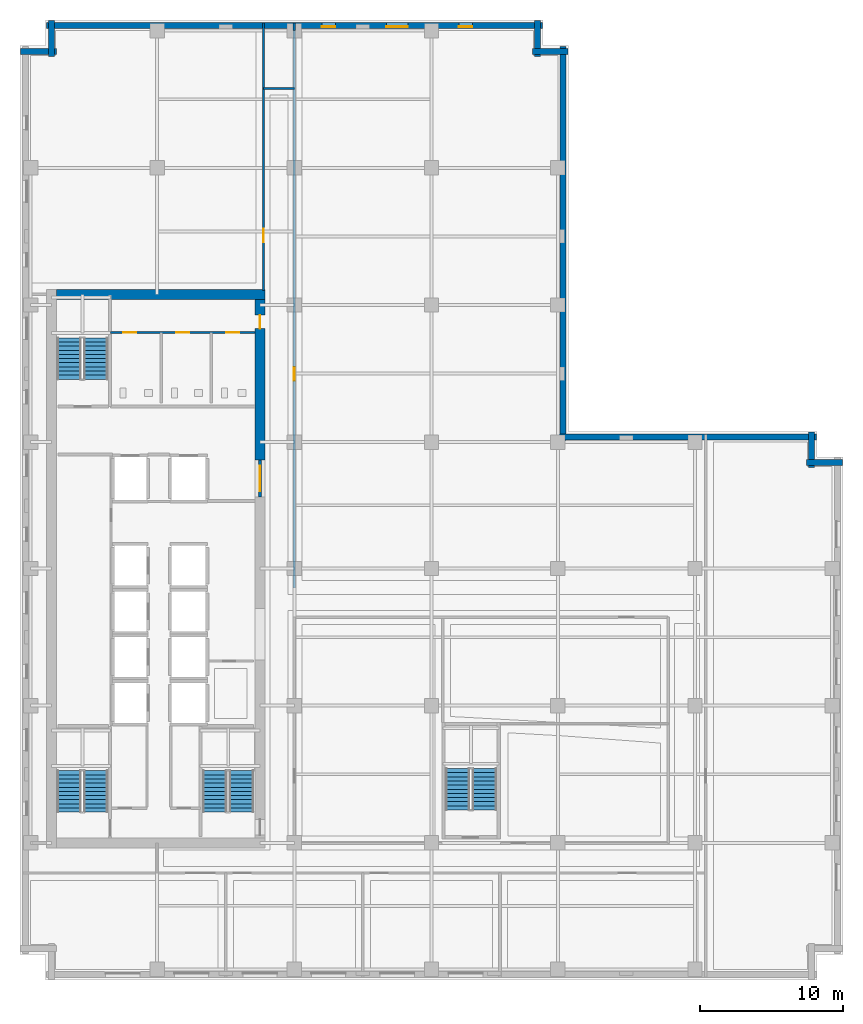
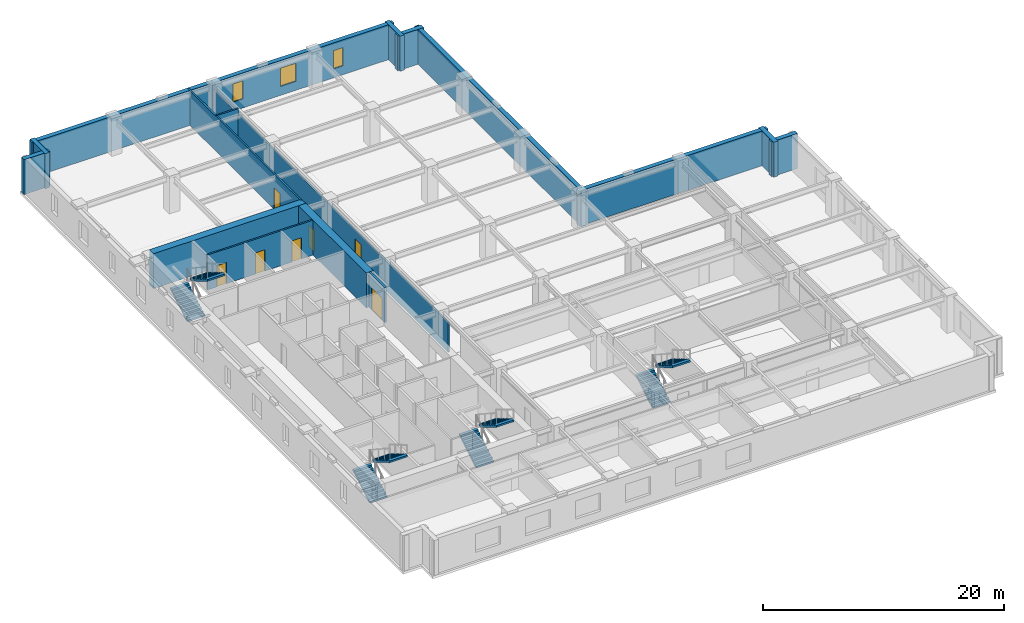
# One storey, part 6 of 11: 17 walls, 8 stair flights, 7 doors, 3 windows, 10 openings, 4 elements without a shape of their own.
"""IFC4 building model written with IfcOpenShell, lengths in metres."""

from ifc_helpers import new_model, si_unit, direction, frame, frame_2d, origin, place, context, subcontext, project, spatial, polyline, rectangle, outline, extrude, material, layer, layer_set, type_object, element, fill, aggregate, save


model = new_model("IFC4")

# Units and contexts
model_context = context("Model", 3, precision=1e-05, world=origin(), true_north=direction((0.0, 1.0)))
body_context = subcontext(model_context, "Body", "Model", "MODEL_VIEW")
ifc_project = project(units=[si_unit("LENGTHUNIT", "METRE"), si_unit("AREAUNIT", "SQUARE_METRE"), si_unit("VOLUMEUNIT", "CUBIC_METRE"), si_unit("PLANEANGLEUNIT", "RADIAN"), si_unit("MASSUNIT", "GRAM", prefix="KILO")], contexts=[model_context])

# Site, building, storey
site_placement = place(None, origin())
site = spatial("IfcSite", under=ifc_project, at=site_placement, CompositionType="ELEMENT")
building_placement = place(site_placement, origin())
building = spatial("IfcBuilding", under=site, at=building_placement, Name="Norrvale University Quadrangle", CompositionType="ELEMENT")
storey_placement = place(building_placement, frame((0.0, 0.0, 124.199951171875)))
storey = spatial("IfcBuildingStorey", under=building, at=storey_placement, Name="L31", CompositionType="ELEMENT", Elevation=124.199951171875)

# Walls
ifc_material_1 = material(Name="Buff Norman Clay Brick Masonry", Category="masonry")
ifc_layer_1 = layer(ifc_material_1, 0.419921875, Name="Buff Norman Clay Brick Masonry")
ifc_layer_set_1 = layer_set([ifc_layer_1], Name="Buff Norman Clay Brick Masonry")
wall_type_1 = type_object("IfcWallType", Name="Wall Buff Brick 420", PredefinedType="SOLIDWALL", material=ifc_layer_set_1)
for number, where, z_axis, x_axis, name in (
    (1, (57.56005859375, 36.2099609375, 0.0), (0.0, 0.0, 1.0), (-1.0, 0.0, 0.0), "Exterior Brick Facade Wall L31-05.1"),
    (2, (55.409912109375, 35.860107421875, 0.0), (0.0, 0.0, 1.0), (0.0, 1.0, 0.0), "Exterior Brick Facade Wall L31-06.1"),
):
    element("IfcWall", number, at=place(storey_placement, frame(where, z_axis=z_axis, x_axis=x_axis)), inside=storey, type_object=wall_type_1, Name=name, PredefinedType="SOLIDWALL", context=body_context, shape_type="SweptSolid", body=[
        extrude(rectangle(XDim=2.5, YDim=0.419921875, at=frame_2d((1.25, 0.0))), origin(), (0.0, 0.0, 1.0), 3.5400390625),
    ])
wall_1_placement = place(storey_placement, frame((55.760009765625, 38.010009765625, 0.0), z_axis=(0.0, 0.0, 1.0), x_axis=(-1.0, 0.0, 0.0)))
element("IfcWall", 3, at=wall_1_placement, inside=storey, type_object=wall_type_1, Name="Exterior Brick Facade Wall L31-07.1", PredefinedType="SOLIDWALL", context=body_context, shape_type="SweptSolid", body=[
    extrude(rectangle(XDim=18.10009765625, YDim=0.419921875, at=frame_2d((9.050048828125, 0.0))), origin(), (0.0, 0.0, 1.0), 3.5400390625),
])
wall_2_placement = place(storey_placement, frame((38.010009765625, 37.659912109375, 0.0), z_axis=(0.0, 0.0, 1.0), x_axis=(0.0, 1.0, 0.0)))
element("IfcWall", 4, at=wall_2_placement, inside=storey, type_object=wall_type_1, Name="Exterior Brick Facade Wall L31-08.1", PredefinedType="SOLIDWALL", context=body_context, shape_type="SweptSolid", body=[
    extrude(rectangle(XDim=27.7001953125, YDim=0.419921875, at=frame_2d((13.85009765625, 0.0))), origin(), (0.0, 0.0, 1.0), 3.5400390625),
])
for number, where, z_axis, x_axis, name in (
    (5, (38.360107421875, 65.010009765625, 0.0), (0.0, 0.0, 1.0), (-1.0, 0.0, 0.0), "Exterior Brick Facade Wall L31-09.1"),
    (6, (36.2099609375, 64.659912109375, 0.0), (0.0, 0.0, 1.0), (0.0, 1.0, 0.0), "Exterior Brick Facade Wall L31-10.1"),
):
    element("IfcWall", number, at=place(storey_placement, frame(where, z_axis=z_axis, x_axis=x_axis)), inside=storey, type_object=wall_type_1, Name=name, PredefinedType="SOLIDWALL", context=body_context, shape_type="SweptSolid", body=[
        extrude(rectangle(XDim=2.5, YDim=0.419921875, at=frame_2d((1.25, 0.0))), origin(), (0.0, 0.0, 1.0), 3.5400390625),
    ])

# Wall, openings, windows
wall_3_placement = place(storey_placement, frame((36.56005859375, 66.81005859375, 0.0), z_axis=(0.0, 0.0, 1.0), x_axis=(-1.0, 0.0, 0.0)))
wall_3 = element("IfcWall", 7, at=wall_3_placement, inside=storey, type_object=wall_type_1, Name="Exterior Brick Facade Wall L31-11.1", PredefinedType="SOLIDWALL", context=body_context, shape_type="SweptSolid", body=[
    extrude(rectangle(XDim=34.719970703125, YDim=0.419921875, at=frame_2d((17.35986328125, 0.0))), origin(), (0.0, 0.0, 1.0), 3.5400390625),
])
opening_1_placement = place(wall_3_placement, frame((4.885009765625, 0.0, 0.89990234375)))
opening_1 = element("IfcOpeningElement", 8, at=opening_1_placement, cuts=wall_3, Name="Opening W04", PredefinedType="OPENING", context=body_context, shape_type="SweptSolid", body=[
    extrude(rectangle(XDim=0.949951171875, YDim=1.85009765625, at=frame_2d((0.47509765625, 0.925048828125))), frame((0.0, 0.221923828125, 0.0), z_axis=(0.0, -1.0, 0.0), x_axis=(1.0, 0.0, 0.0)), (0.0, 0.0, 1.0), 0.44384765625),
])
opening_2_placement = place(wall_3_placement, frame((9.409912109375, 0.0, 0.89990234375)))
opening_2 = element("IfcOpeningElement", 9, at=opening_2_placement, cuts=wall_3, Name="Opening W03", PredefinedType="OPENING", context=body_context, shape_type="SweptSolid", body=[
    extrude(rectangle(XDim=1.5, YDim=1.85009765625, at=frame_2d((0.75, 0.925048828125))), frame((0.0, 0.221923828125, 0.0), z_axis=(0.0, -1.0, 0.0), x_axis=(1.0, 0.0, 0.0)), (0.0, 0.0, 1.0), 0.44384765625),
])
opening_3_placement = place(wall_3_placement, frame((14.485107421875, 0.0, 0.89990234375)))
opening_3 = element("IfcOpeningElement", 10, at=opening_3_placement, cuts=wall_3, Name="Opening W04", PredefinedType="OPENING", context=body_context, shape_type="SweptSolid", body=[
    extrude(rectangle(XDim=0.949951171875, YDim=1.85009765625, at=frame_2d((0.47509765625, 0.925048828125))), frame((0.0, 0.221923828125, 0.0), z_axis=(0.0, -1.0, 0.0), x_axis=(1.0, 0.0, 0.0)), (0.0, 0.0, 1.0), 0.44384765625),
])
ifc_material_2 = material(Name="Triple Low-E Argon Glazing", Category="glass")
window_type_1 = type_object("IfcWindowType", Name="Window Narrow Pier 950x2300", PartitioningType="SINGLE_PANEL", PredefinedType="WINDOW", material=ifc_material_2)
window_1_placement = place(opening_1_placement, origin())
window_1 = element("IfcWindow", 11, at=window_1_placement, inside=storey, type_object=window_type_1, Name="Window Narrow Pier 950x2300 WIN-L31-E11-1-01", OverallHeight=1.85009765625, OverallWidth=0.949951171875, PartitioningType="SINGLE_PANEL", PredefinedType="WINDOW", context=body_context, shape_type="SweptSolid", body=[
    extrude(rectangle(XDim=0.949951171875, YDim=1.85009765625, at=frame_2d((0.47509765625, 0.925048828125))), frame((0.0, 0.110107421875, 0.0), z_axis=(0.0, -1.0, 0.0), x_axis=(1.0, 0.0, 0.0)), (0.0, 0.0, 1.0), 0.06005859375),
])
fill(opening_1, window_1)
window_2_placement = place(opening_3_placement, origin())
window_2 = element("IfcWindow", 12, at=window_2_placement, inside=storey, type_object=window_type_1, Name="Window Narrow Pier 950x2300 WIN-L31-E11-1-03", OverallHeight=1.85009765625, OverallWidth=0.949951171875, PartitioningType="SINGLE_PANEL", PredefinedType="WINDOW", context=body_context, shape_type="SweptSolid", body=[
    extrude(rectangle(XDim=0.949951171875, YDim=1.85009765625, at=frame_2d((0.47509765625, 0.925048828125))), frame((0.0, 0.110107421875, 0.0), z_axis=(0.0, -1.0, 0.0), x_axis=(1.0, 0.0, 0.0)), (0.0, 0.0, 1.0), 0.06005859375),
])
fill(opening_3, window_2)
window_type_2 = type_object("IfcWindowType", Name="Window Studio 1500x2300", PartitioningType="DOUBLE_PANEL_VERTICAL", PredefinedType="WINDOW", material=ifc_material_2)
window_3_placement = place(opening_2_placement, origin())
window_3 = element("IfcWindow", 13, at=window_3_placement, inside=storey, type_object=window_type_2, Name="Window Studio 1500x2300 WIN-L31-E11-1-02", OverallHeight=1.85009765625, OverallWidth=1.5, PartitioningType="DOUBLE_PANEL_VERTICAL", PredefinedType="WINDOW", context=body_context, shape_type="SweptSolid", body=[
    extrude(rectangle(XDim=1.5, YDim=1.85009765625, at=frame_2d((0.75, 0.925048828125))), frame((0.0, 0.110107421875, 0.0), z_axis=(0.0, -1.0, 0.0), x_axis=(1.0, 0.0, 0.0)), (0.0, 0.0, 1.0), 0.06005859375),
])
fill(opening_2, window_3)

# Walls
for number, where, z_axis, x_axis, name in (
    (14, (2.18994140625, 67.159912109375, 0.0), (0.0, 0.0, 1.0), (0.0, -1.0, 0.0), "Exterior Brick Facade Wall L31-12.1"),
    (15, (2.5400390625, 65.010009765625, 0.0), (0.0, 0.0, 1.0), (-1.0, 0.0, 0.0), "Exterior Brick Facade Wall L31-13.1"),
):
    element("IfcWall", number, at=place(storey_placement, frame(where, z_axis=z_axis, x_axis=x_axis)), inside=storey, type_object=wall_type_1, Name=name, PredefinedType="SOLIDWALL", context=body_context, shape_type="SweptSolid", body=[
        extrude(rectangle(XDim=2.5, YDim=0.419921875, at=frame_2d((1.25, 0.0))), origin(), (0.0, 0.0, 1.0), 3.5400390625),
    ])
ifc_material_3 = material(Name="Concrete C60/75", Category="concrete")
ifc_layer_2 = layer(ifc_material_3, 0.699951171875, Name="Concrete C60/75")
ifc_layer_set_2 = layer_set([ifc_layer_2], Name="Concrete C60/75")
wall_type_2 = type_object("IfcWallType", Name="Wall Core 700", PredefinedType="SHEAR", material=ifc_layer_set_2)
wall_4_placement = place(storey_placement, frame((2.550048828125, 48.0, 0.0), z_axis=(0.0, 0.0, 1.0), x_axis=(1.0, 0.0, 0.0)))
element("IfcWall", 16, at=wall_4_placement, inside=storey, type_object=wall_type_2, Name="Tower Core Shear Wall L31-N", PredefinedType="SHEAR", context=body_context, shape_type="SweptSolid", body=[
    extrude(rectangle(XDim=14.599853515625, YDim=0.699951171875, at=frame_2d((7.2998046875, 0.0))), origin(), (0.0, 0.0, 1.0), 3.5400390625),
])

# Wall, opening, door
wall_5_placement = place(storey_placement, frame((16.800048828125, 36.39990234375, 0.0), z_axis=(0.0, 0.0, 1.0), x_axis=(0.0, 1.0, 0.0)))
wall_5 = element("IfcWall", 17, at=wall_5_placement, inside=storey, type_object=wall_type_2, Name="Tower Core Shear Wall L31-E3", PredefinedType="SHEAR", context=body_context, shape_type="SweptSolid", body=[
    extrude(rectangle(XDim=11.25, YDim=0.699951171875, at=frame_2d((5.625, 0.0))), origin(), (0.0, 0.0, 1.0), 3.5400390625),
])
opening_4_placement = place(wall_5_placement, frame((9.199951171875, 0.0, 0.0)))
opening_4 = element("IfcOpeningElement", 18, at=opening_4_placement, cuts=wall_5, Name="Opening D07", PredefinedType="OPENING", context=body_context, shape_type="SweptSolid", body=[
    extrude(rectangle(XDim=0.949951171875, YDim=2.14990234375, at=frame_2d((0.47509765625, 1.074951171875))), frame((0.0, 0.362060546875, 0.0), z_axis=(0.0, -1.0, 0.0), x_axis=(1.0, 0.0, 0.0)), (0.0, 0.0, 1.0), 0.723876953125),
])
ifc_material_4 = material(Name="Solid-Core Maple Door", Category="wood")
door_type_1 = type_object("IfcDoorType", Name="Door Office 950x2150", OperationType="NOTDEFINED", PredefinedType="DOOR", material=ifc_material_4)
door_1_placement = place(opening_4_placement, origin())
door_1 = element("IfcDoor", 19, at=door_1_placement, inside=storey, type_object=door_type_1, Name="Door Office 950x2150 DR-L31-NECORR", OperationType="SINGLE_SWING_RIGHT", OverallHeight=2.14990234375, OverallWidth=0.949951171875, PredefinedType="DOOR", context=body_context, shape_type="SweptSolid", body=[
    extrude(rectangle(XDim=0.949951171875, YDim=2.14990234375, at=frame_2d((0.47509765625, 1.074951171875))), frame((0.0, 0.02490234375, 0.0), z_axis=(0.0, -1.0, 0.0), x_axis=(1.0, 0.0, 0.0)), (0.0, 0.0, 1.0), 0.050048828125),
])
fill(opening_4, door_1)

# Wall
ifc_material_5 = material(Name="Fire-Rated Gypsum Stud Partition")
ifc_layer_3 = layer(ifc_material_5, 0.14990234375, Name="Fire-Rated Gypsum Stud Partition")
ifc_layer_set_3 = layer_set([ifc_layer_3], Name="Fire-Rated Gypsum Stud Partition")
wall_type_3 = type_object("IfcWallType", Name="Wall Gypsum Corridor 150", PredefinedType="PARTITIONING", material=ifc_layer_set_3)
wall_6_placement = place(storey_placement, frame((17.050048828125, 62.39990234375, 0.0), z_axis=(0.0, 0.0, 1.0), x_axis=(1.0, 0.0, 0.0)))
element("IfcWall", 20, at=wall_6_placement, inside=storey, type_object=wall_type_3, Name="Interior Partition WL-L31-CN-END", PredefinedType="PARTITIONING", context=body_context, shape_type="SweptSolid", body=[
    extrude(rectangle(XDim=2.14990234375, YDim=0.14990234375, at=frame_2d((1.074951171875, 0.0))), origin(), (0.0, 0.0, 1.0), 3.5400390625),
])

# Wall, opening, door
wall_7_placement = place(storey_placement, frame((19.199951171875, 27.449951171875, 0.0), z_axis=(0.0, 0.0, 1.0), x_axis=(0.0, 1.0, 0.0)))
wall_7 = element("IfcWall", 21, at=wall_7_placement, inside=storey, type_object=wall_type_3, Name="Interior Partition WL-L31-NECW", PredefinedType="PARTITIONING", context=body_context, shape_type="SweptSolid", body=[
    extrude(rectangle(XDim=39.0, YDim=0.14990234375, at=frame_2d((19.5, 0.0))), origin(), (0.0, 0.0, 1.0), 2.99609375),
])
opening_5_placement = place(wall_7_placement, frame((14.5, 0.0, 0.0)))
opening_5 = element("IfcOpeningElement", 22, at=opening_5_placement, cuts=wall_7, Name="Opening D07", PredefinedType="OPENING", context=body_context, shape_type="SweptSolid", body=[
    extrude(rectangle(XDim=0.949951171875, YDim=2.14990234375, at=frame_2d((0.47509765625, 1.074951171875))), frame((0.0, 0.0869140625, 0.0), z_axis=(0.0, -1.0, 0.0), x_axis=(1.0, 0.0, 0.0)), (0.0, 0.0, 1.0), 0.173828125),
])
door_2_placement = place(opening_5_placement, origin())
door_2 = element("IfcDoor", 23, at=door_2_placement, inside=storey, type_object=door_type_1, Name="Door Office 950x2150 DR-L31-NE01", OperationType="SINGLE_SWING_RIGHT", OverallHeight=2.14990234375, OverallWidth=0.949951171875, PredefinedType="DOOR", context=body_context, shape_type="SweptSolid", body=[
    extrude(rectangle(XDim=0.949951171875, YDim=2.14990234375, at=frame_2d((0.47509765625, 1.074951171875))), frame((0.0, 0.02490234375, 0.0), z_axis=(0.0, -1.0, 0.0), x_axis=(1.0, 0.0, 0.0)), (0.0, 0.0, 1.0), 0.050048828125),
])
fill(opening_5, door_2)

# Wall
wall_8_placement = place(storey_placement, frame((19.199951171875, 66.449951171875, 0.0), z_axis=(0.0, 0.0, 1.0), x_axis=(0.0, 1.0, 0.0)))
element("IfcWall", 24, at=wall_8_placement, inside=storey, type_object=wall_type_3, Name="Interior Partition WL-L31-NECW-B2", PredefinedType="PARTITIONING", context=body_context, shape_type="SweptSolid", body=[
    extrude(rectangle(XDim=0.530029296875, YDim=0.14990234375, at=frame_2d((0.26513671875, 0.0))), origin(), (0.0, 0.0, 1.0), 3.5400390625),
])

# Wall, opening, door
wall_9_placement = place(storey_placement, frame((17.050048828125, 48.25, 0.0), z_axis=(0.0, 0.0, 1.0), x_axis=(0.0, 1.0, 0.0)))
wall_9 = element("IfcWall", 25, at=wall_9_placement, inside=storey, type_object=wall_type_3, Name="Interior Partition WL-L31-NWCW", PredefinedType="PARTITIONING", context=body_context, shape_type="SweptSolid", body=[
    extrude(rectangle(XDim=18.72998046875, YDim=0.14990234375, at=frame_2d((9.364990234375, 0.0))), origin(), (0.0, 0.0, 1.0), 3.5400390625),
])
opening_6_placement = place(wall_9_placement, frame((3.39990234375, 0.0, 0.0)))
opening_6 = element("IfcOpeningElement", 26, at=opening_6_placement, cuts=wall_9, Name="Opening D07", PredefinedType="OPENING", context=body_context, shape_type="SweptSolid", body=[
    extrude(rectangle(XDim=0.949951171875, YDim=2.14990234375, at=frame_2d((0.47509765625, 1.074951171875))), frame((0.0, 0.0869140625, 0.0), z_axis=(0.0, -1.0, 0.0), x_axis=(1.0, 0.0, 0.0)), (0.0, 0.0, 1.0), 0.173828125),
])
door_3_placement = place(opening_6_placement, origin())
door_3 = element("IfcDoor", 27, at=door_3_placement, inside=storey, type_object=door_type_1, Name="Door Office 950x2150 DR-L31-NW01", OperationType="SINGLE_SWING_RIGHT", OverallHeight=2.14990234375, OverallWidth=0.949951171875, PredefinedType="DOOR", context=body_context, shape_type="SweptSolid", body=[
    extrude(rectangle(XDim=0.949951171875, YDim=2.14990234375, at=frame_2d((0.47509765625, 1.074951171875))), frame((0.0, 0.02490234375, 0.0), z_axis=(0.0, -1.0, 0.0), x_axis=(1.0, 0.0, 0.0)), (0.0, 0.0, 1.0), 0.050048828125),
])
fill(opening_6, door_3)

# Wall, openings, doors
ifc_material_6 = material(Name="Sanitary Chase Gypsum Partition")
ifc_layer_4 = layer(ifc_material_6, 0.1650390625, Name="Sanitary Chase Gypsum Partition")
ifc_layer_set_4 = layer_set([ifc_layer_4], Name="Sanitary Chase Gypsum Partition")
wall_type_4 = type_object("IfcWallType", Name="Wall Gypsum Sanitary 165", PredefinedType="PLUMBINGWALL", material=ifc_layer_set_4)
wall_10_placement = place(storey_placement, frame((6.320068359375, 45.320068359375, 0.0), z_axis=(0.0, 0.0, 1.0), x_axis=(1.0, 0.0, 0.0)))
wall_10 = element("IfcWall", 28, at=wall_10_placement, inside=storey, type_object=wall_type_4, Name="Interior Partition WL-L31-WCN", PredefinedType="PLUMBINGWALL", context=body_context, shape_type="SweptSolid", body=[
    extrude(rectangle(XDim=10.1298828125, YDim=0.1650390625, at=frame_2d((5.06494140625, 0.0))), origin(), (0.0, 0.0, 1.0), 3.5400390625),
])
opening_7_placement = place(wall_10_placement, frame((0.89990234375, 0.0, 0.0)))
opening_7 = element("IfcOpeningElement", 29, at=opening_7_placement, cuts=wall_10, Name="Opening D08", PredefinedType="OPENING", context=body_context, shape_type="SweptSolid", body=[
    extrude(rectangle(XDim=0.919921875, YDim=2.14990234375, at=frame_2d((0.4599609375, 1.074951171875))), frame((0.0, 0.094482421875, 0.0), z_axis=(0.0, -1.0, 0.0), x_axis=(1.0, 0.0, 0.0)), (0.0, 0.0, 1.0), 0.18896484375),
])
opening_8_placement = place(wall_10_placement, frame((4.60009765625, 0.0, 0.0)))
opening_8 = element("IfcOpeningElement", 30, at=opening_8_placement, cuts=wall_10, Name="Opening D08", PredefinedType="OPENING", context=body_context, shape_type="SweptSolid", body=[
    extrude(rectangle(XDim=0.919921875, YDim=2.14990234375, at=frame_2d((0.4599609375, 1.074951171875))), frame((0.0, 0.094482421875, 0.0), z_axis=(0.0, -1.0, 0.0), x_axis=(1.0, 0.0, 0.0)), (0.0, 0.0, 1.0), 0.18896484375),
])
opening_9_placement = place(wall_10_placement, frame((8.10009765625, 0.0, 0.0)))
opening_9 = element("IfcOpeningElement", 31, at=opening_9_placement, cuts=wall_10, Name="Opening D08", PredefinedType="OPENING", context=body_context, shape_type="SweptSolid", body=[
    extrude(rectangle(XDim=0.919921875, YDim=2.14990234375, at=frame_2d((0.4599609375, 1.074951171875))), frame((0.0, 0.094482421875, 0.0), z_axis=(0.0, -1.0, 0.0), x_axis=(1.0, 0.0, 0.0)), (0.0, 0.0, 1.0), 0.18896484375),
])
ifc_material_7 = material(Name="Laminate Washroom Door", Category="wood")
door_type_2 = type_object("IfcDoorType", Name="Door Washroom 920x2150", OperationType="NOTDEFINED", PredefinedType="DOOR", material=ifc_material_7)
door_4_placement = place(opening_7_placement, origin())
door_4 = element("IfcDoor", 32, at=door_4_placement, inside=storey, type_object=door_type_2, Name="Door Washroom 920x2150 DR-L31-WC1", OperationType="SINGLE_SWING_LEFT", OverallHeight=2.14990234375, OverallWidth=0.919921875, PredefinedType="DOOR", context=body_context, shape_type="SweptSolid", body=[
    extrude(rectangle(XDim=0.919921875, YDim=2.14990234375, at=frame_2d((0.4599609375, 1.074951171875))), frame((0.0, 0.02490234375, 0.0), z_axis=(0.0, -1.0, 0.0), x_axis=(1.0, 0.0, 0.0)), (0.0, 0.0, 1.0), 0.050048828125),
])
fill(opening_7, door_4)
door_5_placement = place(opening_8_placement, origin())
door_5 = element("IfcDoor", 33, at=door_5_placement, inside=storey, type_object=door_type_2, Name="Door Washroom 920x2150 DR-L31-WC2", OperationType="SINGLE_SWING_RIGHT", OverallHeight=2.14990234375, OverallWidth=0.919921875, PredefinedType="DOOR", context=body_context, shape_type="SweptSolid", body=[
    extrude(rectangle(XDim=0.919921875, YDim=2.14990234375, at=frame_2d((0.4599609375, 1.074951171875))), frame((0.0, 0.02490234375, 0.0), z_axis=(0.0, -1.0, 0.0), x_axis=(1.0, 0.0, 0.0)), (0.0, 0.0, 1.0), 0.050048828125),
])
fill(opening_8, door_5)
door_6_placement = place(opening_9_placement, origin())
door_6 = element("IfcDoor", 34, at=door_6_placement, inside=storey, type_object=door_type_2, Name="Door Washroom 920x2150 DR-L31-WC3", OperationType="SINGLE_SWING_LEFT", OverallHeight=2.14990234375, OverallWidth=0.919921875, PredefinedType="DOOR", context=body_context, shape_type="SweptSolid", body=[
    extrude(rectangle(XDim=0.919921875, YDim=2.14990234375, at=frame_2d((0.4599609375, 1.074951171875))), frame((0.0, 0.02490234375, 0.0), z_axis=(0.0, -1.0, 0.0), x_axis=(1.0, 0.0, 0.0)), (0.0, 0.0, 1.0), 0.050048828125),
])
fill(opening_9, door_6)

# Wall, opening, door
ifc_material_8 = material(Name="Concrete Blockwork 20 MPa Rated Wall", Category="masonry")
ifc_layer_5 = layer(ifc_material_8, 0.199951171875, Name="Concrete Blockwork 20 MPa Rated Wall")
ifc_layer_set_5 = layer_set([ifc_layer_5], Name="Concrete Blockwork 20 MPa Rated Wall")
wall_type_5 = type_object("IfcWallType", Name="Wall Lobby 200", PredefinedType="SOLIDWALL", material=ifc_layer_set_5)
wall_11_placement = place(storey_placement, frame((16.800048828125, 33.800048828125, 0.0), z_axis=(0.0, 0.0, 1.0), x_axis=(0.0, 1.0, 0.0)))
wall_11 = element("IfcWall", 35, at=wall_11_placement, inside=storey, type_object=wall_type_5, Name="Interior Partition WL-L31-FFP", PredefinedType="SOLIDWALL", context=body_context, shape_type="SweptSolid", body=[
    extrude(rectangle(XDim=2.599853515625, YDim=0.199951171875, at=frame_2d((1.2998046875, 0.0))), origin(), (0.0, 0.0, 1.0), 3.5400390625),
])
opening_10_placement = place(wall_11_placement, frame((0.39990234375, 0.0, 0.0)))
opening_10 = element("IfcOpeningElement", 36, at=opening_10_placement, cuts=wall_11, Name="Opening D03", PredefinedType="OPENING", context=body_context, shape_type="SweptSolid", body=[
    extrude(rectangle(XDim=1.800048828125, YDim=2.199951171875, at=frame_2d((0.89990234375, 1.10009765625))), frame((0.0, 0.112060546875, 0.0), z_axis=(0.0, -1.0, 0.0), x_axis=(1.0, 0.0, 0.0)), (0.0, 0.0, 1.0), 0.223876953125),
])
ifc_material_9 = material(Name="Hollow Steel 350W Fire Door", Category="steel")
door_type_3 = type_object("IfcDoorType", Name="Door Fire Lobby 1800x2200", OperationType="DOUBLE_DOOR_SINGLE_SWING", PredefinedType="DOOR", material=ifc_material_9)
door_7_placement = place(opening_10_placement, origin())
door_7 = element("IfcDoor", 37, at=door_7_placement, inside=storey, type_object=door_type_3, Name="Door Fire Lobby 1800x2200 DR-L31-FFP", OperationType="DOUBLE_DOOR_SINGLE_SWING", OverallHeight=2.199951171875, OverallWidth=1.800048828125, PredefinedType="DOOR", context=body_context, shape_type="SweptSolid", body=[
    extrude(rectangle(XDim=1.800048828125, YDim=2.199951171875, at=frame_2d((0.89990234375, 1.10009765625))), frame((0.0, 0.02490234375, 0.0), z_axis=(0.0, -1.0, 0.0), x_axis=(1.0, 0.0, 0.0)), (0.0, 0.0, 1.0), 0.050048828125),
])
fill(opening_10, door_7)

# Stair, stair flights
ifc_material_10 = material(Name="Concrete C40/50", Category="concrete")
stair_type = type_object("IfcStairType", Name="Stair Tower Typ 3800", PredefinedType="TWO_STRAIGHT_RUN_STAIR", material=ifc_material_10)
stair_1_placement = place(storey_placement, origin())
stair_1 = element("IfcStair", 38, at=stair_1_placement, inside=storey, type_object=stair_type, Name="Exit Stair ST-01 L31", PredefinedType="TWO_STRAIGHT_RUN_STAIR")
stair_flight_type = type_object("IfcStairFlightType", Name="Flight Typ 1500", PredefinedType="STRAIGHT", material=ifc_material_10)
stair_flight_1_placement = place(storey_placement, frame((3.429931640625, 11.75, 0.0), z_axis=(0.0, 0.0, 1.0), x_axis=(0.0, 1.0, 0.0)))
stair_flight_1 = element("IfcStairFlight", 39, at=stair_flight_1_placement, type_object=stair_flight_type, Name="Exit Stair ST-01 L31 Lower Flight", NumberOfRisers=11, NumberOfTreads=10, PredefinedType="STRAIGHT", RiserHeight=0.172727, TreadLength=0.29, context=body_context, shape_type="SweptSolid", body=[
    extrude(outline(polyline([(0.0, 0.0), (0.0, 0.172607421875), (0.2900390625, 0.172607421875), (0.2900390625, 0.345458984375), (0.580078125, 0.345458984375), (0.580078125, 0.51806640625), (0.8701171875, 0.51806640625), (0.8701171875, 0.69091796875), (1.159912109375, 0.69091796875), (1.159912109375, 0.863525390625), (1.449951171875, 0.863525390625), (1.449951171875, 1.036376953125), (1.739990234375, 1.036376953125), (1.739990234375, 1.208984375), (2.030029296875, 1.208984375), (2.030029296875, 1.3818359375), (2.320068359375, 1.3818359375), (2.320068359375, 1.554443359375), (2.610107421875, 1.554443359375), (2.610107421875, 1.727294921875), (2.89990234375, 1.727294921875), (2.89990234375, 1.89990234375), (2.89990234375, 1.552734375), (0.29296875, 0.0), (0.0, 0.0)])), frame((0.0, 0.83984375, 0.0), z_axis=(0.0, -1.0, 0.0), x_axis=(1.0, 0.0, 0.0)), (0.0, 0.0, 1.0), 1.679931640625),
])
stair_flight_2_placement = place(storey_placement, frame((5.320068359375, 14.64990234375, 1.900146484375), z_axis=(0.0, 0.0, 1.0), x_axis=(0.0, -1.0, 0.0)))
stair_flight_2 = element("IfcStairFlight", 40, at=stair_flight_2_placement, type_object=stair_flight_type, Name="Exit Stair ST-01 L31 Upper Flight", NumberOfRisers=11, NumberOfTreads=10, PredefinedType="STRAIGHT", RiserHeight=0.172727, TreadLength=0.29, context=body_context, shape_type="SweptSolid", body=[
    extrude(outline(polyline([(0.0, 0.0), (0.0, 0.172607421875), (0.2900390625, 0.172607421875), (0.2900390625, 0.345458984375), (0.580078125, 0.345458984375), (0.580078125, 0.51806640625), (0.8701171875, 0.51806640625), (0.8701171875, 0.69091796875), (1.159912109375, 0.69091796875), (1.159912109375, 0.863525390625), (1.449951171875, 0.863525390625), (1.449951171875, 1.036376953125), (1.739990234375, 1.036376953125), (1.739990234375, 1.208984375), (2.030029296875, 1.208984375), (2.030029296875, 1.3818359375), (2.320068359375, 1.3818359375), (2.320068359375, 1.554443359375), (2.610107421875, 1.554443359375), (2.610107421875, 1.727294921875), (2.89990234375, 1.727294921875), (2.89990234375, 1.89990234375), (2.89990234375, 1.552734375), (0.29296875, 0.0), (0.0, 0.0)])), frame((0.0, 0.83984375, 0.0), z_axis=(0.0, -1.0, 0.0), x_axis=(1.0, 0.0, 0.0)), (0.0, 0.0, 1.0), 1.679931640625),
])
aggregate(stair_1, [stair_flight_1, stair_flight_2])

stair_2_placement = place(storey_placement, origin())
stair_2 = element("IfcStair", 41, at=stair_2_placement, inside=storey, type_object=stair_type, Name="Exit Stair ST-02 L31", PredefinedType="TWO_STRAIGHT_RUN_STAIR")
stair_flight_3_placement = place(storey_placement, frame((3.429931640625, 42.050048828125, 0.0), z_axis=(0.0, 0.0, 1.0), x_axis=(0.0, 1.0, 0.0)))
stair_flight_3 = element("IfcStairFlight", 42, at=stair_flight_3_placement, type_object=stair_flight_type, Name="Exit Stair ST-02 L31 Lower Flight", NumberOfRisers=11, NumberOfTreads=10, PredefinedType="STRAIGHT", RiserHeight=0.172727, TreadLength=0.29, context=body_context, shape_type="SweptSolid", body=[
    extrude(outline(polyline([(0.0, 0.0), (0.0, 0.172607421875), (0.2900390625, 0.172607421875), (0.2900390625, 0.345458984375), (0.580078125, 0.345458984375), (0.580078125, 0.51806640625), (0.8701171875, 0.51806640625), (0.8701171875, 0.69091796875), (1.159912109375, 0.69091796875), (1.159912109375, 0.863525390625), (1.449951171875, 0.863525390625), (1.449951171875, 1.036376953125), (1.739990234375, 1.036376953125), (1.739990234375, 1.208984375), (2.030029296875, 1.208984375), (2.030029296875, 1.3818359375), (2.320068359375, 1.3818359375), (2.320068359375, 1.554443359375), (2.610107421875, 1.554443359375), (2.610107421875, 1.727294921875), (2.89990234375, 1.727294921875), (2.89990234375, 1.89990234375), (2.89990234375, 1.552734375), (0.29296875, 0.0), (0.0, 0.0)])), frame((0.0, 0.83984375, 0.0), z_axis=(0.0, -1.0, 0.0), x_axis=(1.0, 0.0, 0.0)), (0.0, 0.0, 1.0), 1.679931640625),
])
stair_flight_4_placement = place(storey_placement, frame((5.320068359375, 44.949951171875, 1.900146484375), z_axis=(0.0, 0.0, 1.0), x_axis=(0.0, -1.0, 0.0)))
stair_flight_4 = element("IfcStairFlight", 43, at=stair_flight_4_placement, type_object=stair_flight_type, Name="Exit Stair ST-02 L31 Upper Flight", NumberOfRisers=11, NumberOfTreads=10, PredefinedType="STRAIGHT", RiserHeight=0.172727, TreadLength=0.29, context=body_context, shape_type="SweptSolid", body=[
    extrude(outline(polyline([(0.0, 0.0), (0.0, 0.172607421875), (0.2900390625, 0.172607421875), (0.2900390625, 0.345458984375), (0.580078125, 0.345458984375), (0.580078125, 0.51806640625), (0.8701171875, 0.51806640625), (0.8701171875, 0.69091796875), (1.159912109375, 0.69091796875), (1.159912109375, 0.863525390625), (1.449951171875, 0.863525390625), (1.449951171875, 1.036376953125), (1.739990234375, 1.036376953125), (1.739990234375, 1.208984375), (2.030029296875, 1.208984375), (2.030029296875, 1.3818359375), (2.320068359375, 1.3818359375), (2.320068359375, 1.554443359375), (2.610107421875, 1.554443359375), (2.610107421875, 1.727294921875), (2.89990234375, 1.727294921875), (2.89990234375, 1.89990234375), (2.89990234375, 1.552734375), (0.29296875, 0.0), (0.0, 0.0)])), frame((0.0, 0.83984375, 0.0), z_axis=(0.0, -1.0, 0.0), x_axis=(1.0, 0.0, 0.0)), (0.0, 0.0, 1.0), 1.679931640625),
])
aggregate(stair_2, [stair_flight_3, stair_flight_4])

stair_3_placement = place(storey_placement, origin())
stair_3 = element("IfcStair", 44, at=stair_3_placement, inside=storey, type_object=stair_type, Name="Exit Stair ST-03 L31", PredefinedType="TWO_STRAIGHT_RUN_STAIR")
stair_flight_5_placement = place(storey_placement, frame((13.6298828125, 11.75, 0.0), z_axis=(0.0, 0.0, 1.0), x_axis=(0.0, 1.0, 0.0)))
stair_flight_5 = element("IfcStairFlight", 45, at=stair_flight_5_placement, type_object=stair_flight_type, Name="Exit Stair ST-03 L31 Lower Flight", NumberOfRisers=11, NumberOfTreads=10, PredefinedType="STRAIGHT", RiserHeight=0.172727, TreadLength=0.29, context=body_context, shape_type="SweptSolid", body=[
    extrude(outline(polyline([(0.0, 0.0), (0.0, 0.172607421875), (0.2900390625, 0.172607421875), (0.2900390625, 0.345458984375), (0.580078125, 0.345458984375), (0.580078125, 0.51806640625), (0.8701171875, 0.51806640625), (0.8701171875, 0.69091796875), (1.159912109375, 0.69091796875), (1.159912109375, 0.863525390625), (1.449951171875, 0.863525390625), (1.449951171875, 1.036376953125), (1.739990234375, 1.036376953125), (1.739990234375, 1.208984375), (2.030029296875, 1.208984375), (2.030029296875, 1.3818359375), (2.320068359375, 1.3818359375), (2.320068359375, 1.554443359375), (2.610107421875, 1.554443359375), (2.610107421875, 1.727294921875), (2.89990234375, 1.727294921875), (2.89990234375, 1.89990234375), (2.89990234375, 1.552734375), (0.29296875, 0.0), (0.0, 0.0)])), frame((0.0, 0.83984375, 0.0), z_axis=(0.0, -1.0, 0.0), x_axis=(1.0, 0.0, 0.0)), (0.0, 0.0, 1.0), 1.679931640625),
])
stair_flight_6_placement = place(storey_placement, frame((15.52001953125, 14.64990234375, 1.900146484375), z_axis=(0.0, 0.0, 1.0), x_axis=(0.0, -1.0, 0.0)))
stair_flight_6 = element("IfcStairFlight", 46, at=stair_flight_6_placement, type_object=stair_flight_type, Name="Exit Stair ST-03 L31 Upper Flight", NumberOfRisers=11, NumberOfTreads=10, PredefinedType="STRAIGHT", RiserHeight=0.172727, TreadLength=0.29, context=body_context, shape_type="SweptSolid", body=[
    extrude(outline(polyline([(0.0, 0.0), (0.0, 0.172607421875), (0.2900390625, 0.172607421875), (0.2900390625, 0.345458984375), (0.580078125, 0.345458984375), (0.580078125, 0.51806640625), (0.8701171875, 0.51806640625), (0.8701171875, 0.69091796875), (1.159912109375, 0.69091796875), (1.159912109375, 0.863525390625), (1.449951171875, 0.863525390625), (1.449951171875, 1.036376953125), (1.739990234375, 1.036376953125), (1.739990234375, 1.208984375), (2.030029296875, 1.208984375), (2.030029296875, 1.3818359375), (2.320068359375, 1.3818359375), (2.320068359375, 1.554443359375), (2.610107421875, 1.554443359375), (2.610107421875, 1.727294921875), (2.89990234375, 1.727294921875), (2.89990234375, 1.89990234375), (2.89990234375, 1.552734375), (0.29296875, 0.0), (0.0, 0.0)])), frame((0.0, 0.83984375, 0.0), z_axis=(0.0, -1.0, 0.0), x_axis=(1.0, 0.0, 0.0)), (0.0, 0.0, 1.0), 1.679931640625),
])
aggregate(stair_3, [stair_flight_5, stair_flight_6])

stair_4_placement = place(storey_placement, origin())
stair_4 = element("IfcStair", 47, at=stair_4_placement, inside=storey, type_object=stair_type, Name="Exit Stair ST-04 L31", PredefinedType="TWO_STRAIGHT_RUN_STAIR")
stair_flight_7_placement = place(storey_placement, frame((30.6298828125, 11.89990234375, 0.0), z_axis=(0.0, 0.0, 1.0), x_axis=(0.0, 1.0, 0.0)))
stair_flight_7 = element("IfcStairFlight", 48, at=stair_flight_7_placement, type_object=stair_flight_type, Name="Exit Stair ST-04 L31 Lower Flight", NumberOfRisers=11, NumberOfTreads=10, PredefinedType="STRAIGHT", RiserHeight=0.172727, TreadLength=0.29, context=body_context, shape_type="SweptSolid", body=[
    extrude(outline(polyline([(0.0, 0.0), (0.0, 0.172607421875), (0.2900390625, 0.172607421875), (0.2900390625, 0.345458984375), (0.580078125, 0.345458984375), (0.580078125, 0.51806640625), (0.8701171875, 0.51806640625), (0.8701171875, 0.69091796875), (1.159912109375, 0.69091796875), (1.159912109375, 0.863525390625), (1.449951171875, 0.863525390625), (1.449951171875, 1.036376953125), (1.739990234375, 1.036376953125), (1.739990234375, 1.208984375), (2.030029296875, 1.208984375), (2.030029296875, 1.3818359375), (2.320068359375, 1.3818359375), (2.320068359375, 1.554443359375), (2.610107421875, 1.554443359375), (2.610107421875, 1.727294921875), (2.89990234375, 1.727294921875), (2.89990234375, 1.89990234375), (2.89990234375, 1.552734375), (0.29296875, 0.0), (0.0, 0.0)])), frame((0.0, 0.83984375, 0.0), z_axis=(0.0, -1.0, 0.0), x_axis=(1.0, 0.0, 0.0)), (0.0, 0.0, 1.0), 1.679931640625),
])
stair_flight_8_placement = place(storey_placement, frame((32.52001953125, 14.800048828125, 1.900146484375), z_axis=(0.0, 0.0, 1.0), x_axis=(0.0, -1.0, 0.0)))
stair_flight_8 = element("IfcStairFlight", 49, at=stair_flight_8_placement, type_object=stair_flight_type, Name="Exit Stair ST-04 L31 Upper Flight", NumberOfRisers=11, NumberOfTreads=10, PredefinedType="STRAIGHT", RiserHeight=0.172727, TreadLength=0.29, context=body_context, shape_type="SweptSolid", body=[
    extrude(outline(polyline([(0.0, 0.0), (0.0, 0.172607421875), (0.2900390625, 0.172607421875), (0.2900390625, 0.345458984375), (0.580078125, 0.345458984375), (0.580078125, 0.51806640625), (0.8701171875, 0.51806640625), (0.8701171875, 0.69091796875), (1.159912109375, 0.69091796875), (1.159912109375, 0.863525390625), (1.449951171875, 0.863525390625), (1.449951171875, 1.036376953125), (1.739990234375, 1.036376953125), (1.739990234375, 1.208984375), (2.030029296875, 1.208984375), (2.030029296875, 1.3818359375), (2.320068359375, 1.3818359375), (2.320068359375, 1.554443359375), (2.610107421875, 1.554443359375), (2.610107421875, 1.727294921875), (2.89990234375, 1.727294921875), (2.89990234375, 1.89990234375), (2.89990234375, 1.552734375), (0.29296875, 0.0), (0.0, 0.0)])), frame((0.0, 0.83984375, 0.0), z_axis=(0.0, -1.0, 0.0), x_axis=(1.0, 0.0, 0.0)), (0.0, 0.0, 1.0), 1.679931640625),
])
aggregate(stair_4, [stair_flight_7, stair_flight_8])

save(model, "model.ifc")
